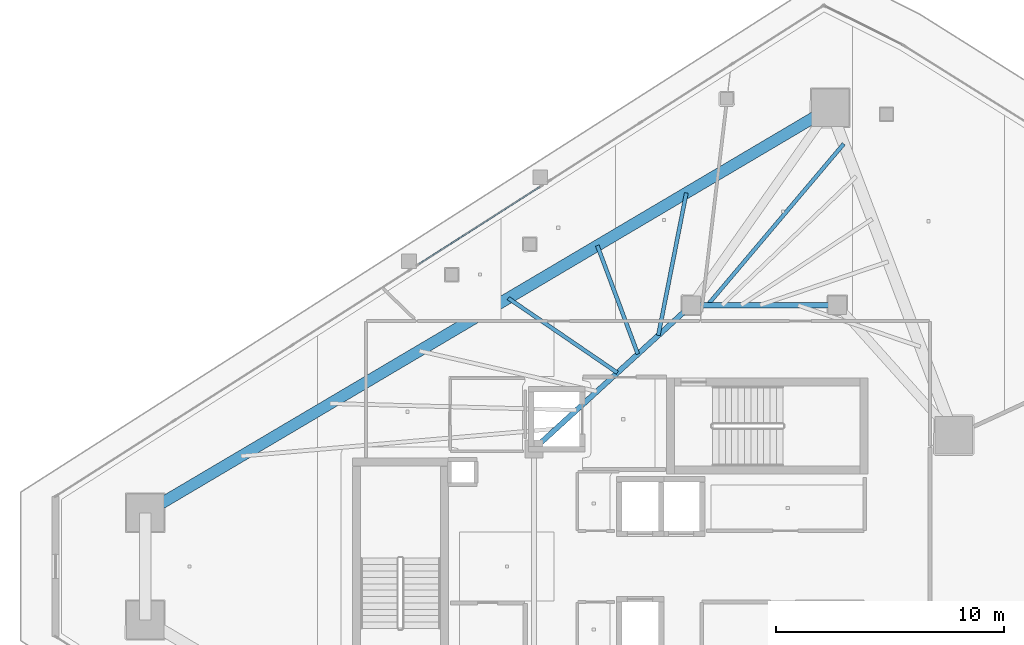
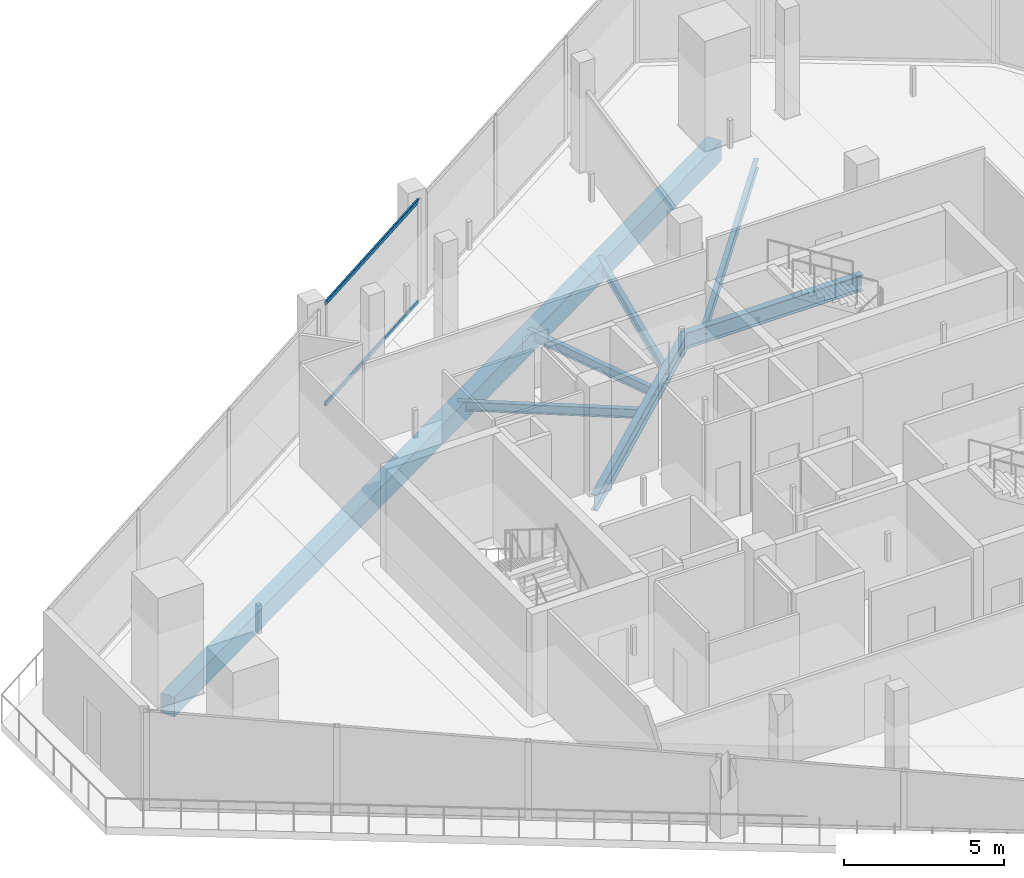
# One storey, part 16 of 31: 7 beams, 2 members, 1 element without a shape of its own.
"""IFC4 building model written with IfcOpenShell, lengths in metres."""

from ifc_helpers import new_model, si_unit, direction, frame, origin, origin_2d, place, context, subcontext, project, spatial, rectangle, hollow_rectangle, i_section, extrude, material, layer, layer_set, material_profile, profile_set, type_object, element, aggregate, save


model = new_model("IFC4")

# Units and contexts
model_context = context("Model", 3, precision=1e-05, world=origin(), true_north=direction((0.0, 1.0)))
body_context = subcontext(model_context, "Body", "Model", "MODEL_VIEW")
ifc_project = project(units=[si_unit("LENGTHUNIT", "METRE"), si_unit("AREAUNIT", "SQUARE_METRE"), si_unit("VOLUMEUNIT", "CUBIC_METRE"), si_unit("PLANEANGLEUNIT", "RADIAN"), si_unit("MASSUNIT", "GRAM", prefix="KILO")], contexts=[model_context])

# Site, building, storey
site_placement = place(None, origin())
site = spatial("IfcSite", under=ifc_project, at=site_placement, CompositionType="ELEMENT")
building_placement = place(site_placement, origin())
building = spatial("IfcBuilding", under=site, at=building_placement, Name="Qorvath Tower", CompositionType="ELEMENT")
storey_placement = place(building_placement, frame((0.0, 0.0, 264.0)))
storey = spatial("IfcBuildingStorey", under=building, at=storey_placement, Name="L61", CompositionType="ELEMENT", Elevation=264.0)

# Beams
ifc_material_1 = material(Name="Steel ASTM A992 Grade 50", Category="steel")
ifc_material_profile_1 = material_profile(ifc_material_1, i_section(OverallWidth=0.22998046875, OverallDepth=0.616943359375, WebThickness=0.01318359375, FlangeThickness=0.022216796875, FilletRadius=0.014892578125, at=origin_2d()), Name="W24x94")
ifc_profile_set_1 = profile_set([ifc_material_profile_1], Name="Steel ASTM A992 Grade 50")
beam_type_1 = type_object("IfcBeamType", Name="BM-FG6", PredefinedType="BEAM", material=ifc_profile_set_1)
beam_1_placement = place(storey_placement, frame((-23.60009765625, 11.449951171875, -0.598388671875), z_axis=(1.0, 0.0, 0.0), x_axis=(0.0, 1.0, 0.0)))
element("IfcBeam", 1, at=beam_1_placement, inside=storey, type_object=beam_type_1, Name="Core Ring Girder CC1-CC2 L61", PredefinedType="BEAM", context=body_context, shape_type="SweptSolid", body=[
    extrude(i_section(OverallWidth=0.22998046875, OverallDepth=0.616943359375, WebThickness=0.01318359375, FlangeThickness=0.022216796875, FilletRadius=0.014892578125, at=origin_2d()), origin(), (0.0, 0.0, 1.0), 6.400146484375),
])
beam_2_placement = place(storey_placement, frame((-30.5, 5.14990234375, -0.598388671875), z_axis=(0.73847813985, 0.6742774184, 0.0), x_axis=(-0.6742774184, 0.73847813985, 0.0)))
element("IfcBeam", 2, at=beam_2_placement, inside=storey, type_object=beam_type_1, Name="Core Ring Girder CC5-CC1 L61", PredefinedType="BEAM", context=body_context, shape_type="SweptSolid", body=[
    extrude(i_section(OverallWidth=0.22998046875, OverallDepth=0.616943359375, WebThickness=0.01318359375, FlangeThickness=0.022216796875, FilletRadius=0.014892578125, at=origin_2d()), origin(), (0.0, 0.0, 1.0), 9.343505859375),
])
ifc_material_2 = material(Name="Steel ASTM A992 Grade 50", Category="steel")
ifc_material_profile_2 = material_profile(ifc_material_2, i_section(OverallWidth=0.1708984375, OverallDepth=0.35107421875, WebThickness=0.0068359375, FlangeThickness=0.009765625, FilletRadius=0.010009765625, at=origin_2d()), Name="W14x30")
ifc_profile_set_2 = profile_set([ifc_material_profile_2], Name="Steel ASTM A992 Grade 50")
beam_type_2 = type_object("IfcBeamType", Name="BM-FJ4", PredefinedType="JOIST", material=ifc_profile_set_2)
beam_3_placement = place(storey_placement, frame((-22.89599609375, 11.449951171875, -0.465576171875), z_axis=(0.645381885676, 0.763860079885, 0.0), x_axis=(-0.763860079885, 0.645381885676, 0.0)))
element("IfcBeam", 3, at=beam_3_placement, inside=storey, type_object=beam_type_2, Name="Composite Floor Joist NE7 L61", PredefinedType="JOIST", context=body_context, shape_type="SweptSolid", body=[
    extrude(i_section(OverallWidth=0.1708984375, OverallDepth=0.35107421875, WebThickness=0.0068359375, FlangeThickness=0.009765625, FilletRadius=0.010009765625, at=origin_2d()), origin(), (0.0, 0.0, 1.0), 9.260498046875),
])
beam_4_placement = place(storey_placement, frame((-26.843017578125, 8.489013671875, -0.465576171875), z_axis=(-0.82557592702, 0.564291049658, 0.0), x_axis=(-0.564291049658, -0.82557592702, 0.0)))
element("IfcBeam", 4, at=beam_4_placement, inside=storey, type_object=beam_type_2, Name="Composite Floor Joist NW4 L61", PredefinedType="JOIST", context=body_context, shape_type="SweptSolid", body=[
    extrude(i_section(OverallWidth=0.1708984375, OverallDepth=0.35107421875, WebThickness=0.0068359375, FlangeThickness=0.009765625, FilletRadius=0.010009765625, at=origin_2d()), origin(), (0.0, 0.0, 1.0), 5.793212890625),
])
beam_5_placement = place(storey_placement, frame((-25.946044921875, 9.30810546875, -0.465576171875), z_axis=(-0.349858795354, 0.936802446257, 0.0), x_axis=(-0.936802446257, -0.349858795354, 0.0)))
element("IfcBeam", 5, at=beam_5_placement, inside=storey, type_object=beam_type_2, Name="Composite Floor Joist NW5 L61", PredefinedType="JOIST", context=body_context, shape_type="SweptSolid", body=[
    extrude(i_section(OverallWidth=0.1708984375, OverallDepth=0.35107421875, WebThickness=0.0068359375, FlangeThickness=0.009765625, FilletRadius=0.010009765625, at=origin_2d()), origin(), (0.0, 0.0, 1.0), 5.078857421875),
])
beam_6_placement = place(storey_placement, frame((-25.049072265625, 10.126953125, -0.465576171875), z_axis=(0.193040016911, 0.981190884523, 0.0), x_axis=(-0.981190884523, 0.193040016911, 0.0)))
element("IfcBeam", 6, at=beam_6_placement, inside=storey, type_object=beam_type_2, Name="Composite Floor Joist NW6 L61", PredefinedType="JOIST", context=body_context, shape_type="SweptSolid", body=[
    extrude(i_section(OverallWidth=0.1708984375, OverallDepth=0.35107421875, WebThickness=0.0068359375, FlangeThickness=0.009765625, FilletRadius=0.010009765625, at=origin_2d()), origin(), (0.0, 0.0, 1.0), 6.366455078125),
])
ifc_material_3 = material(Name="Concrete C45/55", Category="concrete")
ifc_material_profile_3 = material_profile(ifc_material_3, rectangle(XDim=0.5, YDim=0.75, at=origin_2d()), Name="RCB 750x500")
ifc_profile_set_3 = profile_set([ifc_material_profile_3], Name="Concrete C45/55")
beam_type_3 = type_object("IfcBeamType", Name="BM-RCB3", PredefinedType="SPANDREL", material=ifc_profile_set_3)
beam_7_placement = place(storey_placement, frame((-17.515380859375, 20.1015625, -0.6650390625), z_axis=(-0.860781425392, -0.50897479083, 0.0), x_axis=(0.50897479083, -0.860781425392, 0.0)))
element("IfcBeam", 7, at=beam_7_placement, inside=storey, type_object=beam_type_3, Name="Perimeter Loggia Frame Beam MC6-MC1 L61", PredefinedType="SPANDREL", context=body_context, shape_type="SweptSolid", body=[
    extrude(rectangle(XDim=0.5, YDim=0.75, at=origin_2d()), origin(), (0.0, 0.0, 1.0), 34.8779296875),
])

# Curtain wall, members
ifc_material_4 = material(Name="Anodised aluminium and triple low-E glass", Category="aluminium")
ifc_layer = layer(ifc_material_4, 0.179931640625)
ifc_layer_set = layer_set([ifc_layer], Name="CW-SYS-4")
curtain_wall_type = type_object("IfcCurtainWallType", Name="CW-SYS-4", PredefinedType="NOTDEFINED", material=ifc_layer_set)
curtain_wall_placement = place(storey_placement, origin())
curtain_wall = element("IfcCurtainWall", 8, at=curtain_wall_placement, inside=storey, type_object=curtain_wall_type, Name="Curtain Wall CW-4 CW-T-L61-16.2", PredefinedType="NOTDEFINED")
ifc_material_5 = material(Name="Anodised aluminium 6063-T6", Category="aluminium")
ifc_material_profile_4 = material_profile(ifc_material_5, hollow_rectangle(XDim=0.06494140625, YDim=0.159912109375, WallThickness=0.00341796875, InnerFilletRadius=0.00341796875, OuterFilletRadius=0.007080078125, at=origin_2d()), Name="CWT 160x65")
ifc_profile_set_4 = profile_set([ifc_material_profile_4], Name="Anodised aluminium 6063-T6")
member_type = type_object("IfcMemberType", Name="CWT-160", PredefinedType="USERDEFINED", material=ifc_profile_set_4)
member_1_placement = place(storey_placement, frame((-30.2314453125, 16.6494140625, 0.032470703125), z_axis=(-0.842593829389, -0.538549569377, 0.0), x_axis=(0.538549569377, -0.842593829389, 0.0)))
member_1 = element("IfcMember", 9, at=member_1_placement, type_object=member_type, Name="CW-4 transom 1.1", ObjectType="TRANSOM", PredefinedType="USERDEFINED", context=body_context, shape_type="SweptSolid", body=[
    extrude(hollow_rectangle(XDim=0.06494140625, YDim=0.159912109375, WallThickness=0.00341796875, InnerFilletRadius=0.00341796875, OuterFilletRadius=0.007080078125, at=origin_2d()), origin(), (0.0, 0.0, 1.0), 6.30908203125),
])
member_2_placement = place(storey_placement, frame((-30.2314453125, 16.6494140625, 3.87744140625), z_axis=(-0.842593829389, -0.538549569377, 0.0), x_axis=(0.538549569377, -0.842593829389, 0.0)))
member_2 = element("IfcMember", 10, at=member_2_placement, type_object=member_type, Name="CW-4 transom 1.2", ObjectType="TRANSOM", PredefinedType="USERDEFINED", context=body_context, shape_type="SweptSolid", body=[
    extrude(hollow_rectangle(XDim=0.06494140625, YDim=0.159912109375, WallThickness=0.00341796875, InnerFilletRadius=0.00341796875, OuterFilletRadius=0.007080078125, at=origin_2d()), origin(), (0.0, 0.0, 1.0), 6.30908203125),
])
aggregate(curtain_wall, [member_1, member_2])

save(model, "model.ifc")
